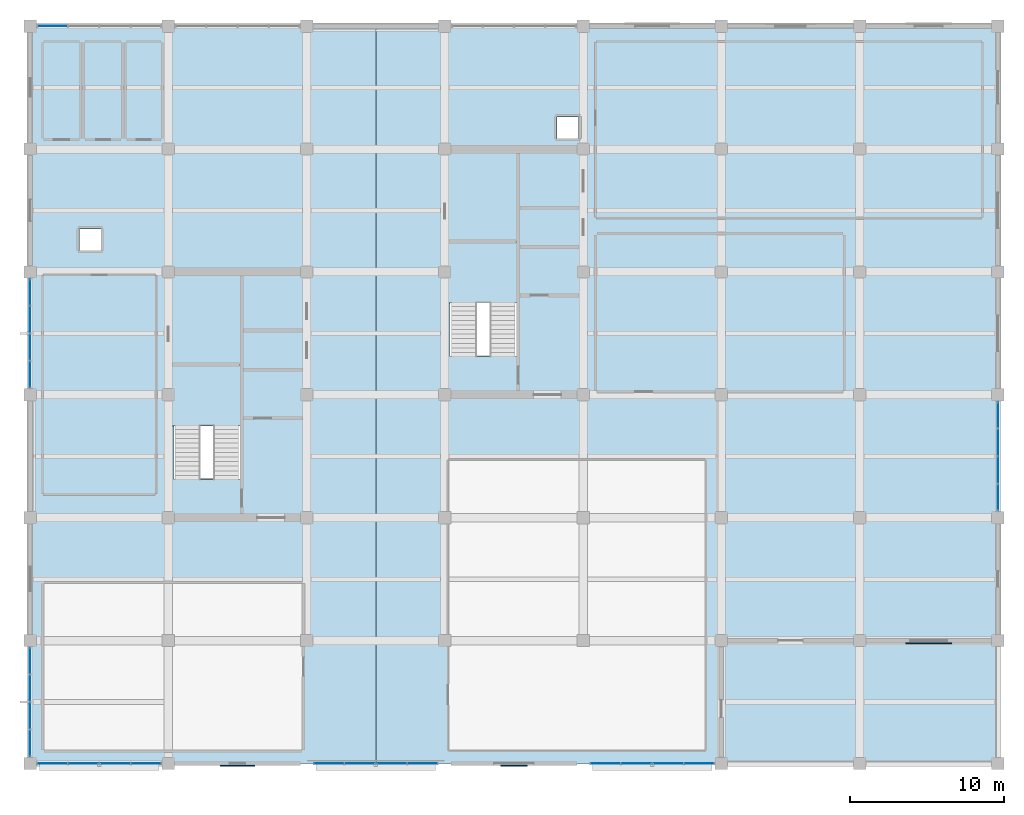
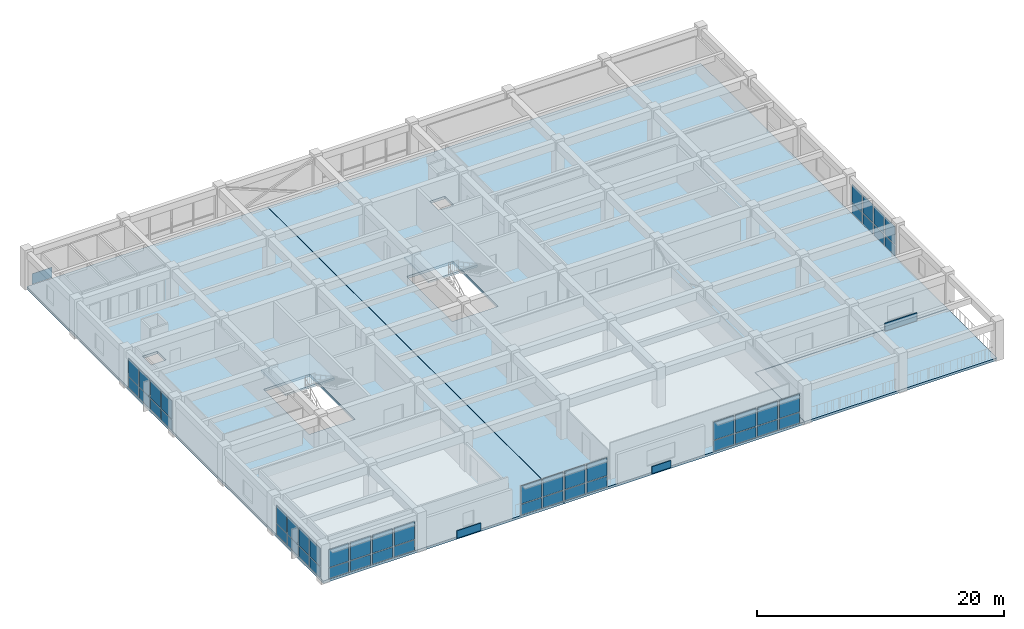
# One storey, part 11 of 17: 52 plates, 5 slabs, 9 elements without a shape of their own.
"""IFC4 building model written with IfcOpenShell, lengths in metres."""

from ifc_helpers import new_model, si_unit, direction, frame, frame_2d, origin, place, context, subcontext, project, spatial, polyline, rectangle, outline, extrude, material, layer, layer_set, type_object, element, aggregate, save


model = new_model("IFC4")

# Units and contexts
model_context = context("Model", 3, precision=1e-05, world=origin(), true_north=direction((0.0, 1.0)))
body_context = subcontext(model_context, "Body", "Model", "MODEL_VIEW")
ifc_project = project(units=[si_unit("LENGTHUNIT", "METRE"), si_unit("AREAUNIT", "SQUARE_METRE"), si_unit("VOLUMEUNIT", "CUBIC_METRE"), si_unit("PLANEANGLEUNIT", "RADIAN"), si_unit("MASSUNIT", "GRAM", prefix="KILO")], contexts=[model_context])

# Site, building, storey
site_placement = place(None, origin())
site = spatial("IfcSite", under=ifc_project, at=site_placement, CompositionType="ELEMENT")
building_placement = place(site_placement, origin())
building = spatial("IfcBuilding", under=site, at=building_placement, Name="Zaverband Oceanarium and Marine Research Institute", CompositionType="ELEMENT")
storey_placement = place(building_placement, frame((0.0, 0.0, 33.60009765625)))
storey = spatial("IfcBuildingStorey", under=building, at=storey_placement, Name="L08", CompositionType="ELEMENT", Elevation=33.60009765625)

# Curtain wall, plates
ifc_material_1 = material(Name="Thermally broken anodized aluminium and solar-control glass", Category="aluminium")
curtain_wall_type = type_object("IfcCurtainWallType", Name="CW-UNIT-1800", PredefinedType="NOTDEFINED", material=ifc_material_1)
curtain_wall_1_placement = place(storey_placement, origin())
curtain_wall_1 = element("IfcCurtainWall", 1, at=curtain_wall_1_placement, inside=storey, type_object=curtain_wall_type, Name="Unitised glazed curtain wall CW-100", PredefinedType="NOTDEFINED")
ifc_material_2 = material(Name="Low-E double-glazed solar-control glass", Category="glass")
ifc_layer_1 = layer(ifc_material_2, 0.033935546875, Name="Low-E double-glazed solar-control glass")
ifc_layer_set_1 = layer_set([ifc_layer_1], Name="Low-E double-glazed solar-control glass")
plate_type_1 = type_object("IfcPlateType", Name="CWP-1570x1043", PredefinedType="CURTAIN_PANEL", material=ifc_layer_set_1)
plate_1_placement = place(storey_placement, frame((9.0, 64.485107421875, 0.0498046875), z_axis=(0.0, 0.0, 1.0), x_axis=(0.0, 1.0, 0.0)))
plate_1 = element("IfcPlate", 2, at=plate_1_placement, type_object=plate_type_1, Name="Glazed curtain wall panel CWP-1570x1043", PredefinedType="CURTAIN_PANEL", context=body_context, shape_type="SweptSolid", body=[
    extrude(rectangle(XDim=1.637451171875, YDim=0.033935546875, at=frame_2d((0.81884765625, 0.0))), origin(), (0.0, 0.0, 1.0), 1.043212890625),
])
plate_2_placement = place(storey_placement, frame((9.0, 66.282470703125, 0.0498046875), z_axis=(0.0, 0.0, 1.0), x_axis=(0.0, 1.0, 0.0)))
plate_2 = element("IfcPlate", 3, at=plate_2_placement, type_object=plate_type_1, Name="Glazed curtain wall panel CWP-1570x1043", PredefinedType="CURTAIN_PANEL", context=body_context, shape_type="SweptSolid", body=[
    extrude(rectangle(XDim=1.637451171875, YDim=0.033935546875, at=frame_2d((0.81884765625, 0.0))), origin(), (0.0, 0.0, 1.0), 1.043212890625),
])
plate_3_placement = place(storey_placement, frame((9.0, 68.080078125, 0.0498046875), z_axis=(0.0, 0.0, 1.0), x_axis=(0.0, 1.0, 0.0)))
plate_3 = element("IfcPlate", 4, at=plate_3_placement, type_object=plate_type_1, Name="Glazed curtain wall panel CWP-1570x1043", PredefinedType="CURTAIN_PANEL", context=body_context, shape_type="SweptSolid", body=[
    extrude(rectangle(XDim=1.637451171875, YDim=0.033935546875, at=frame_2d((0.81884765625, 0.0))), origin(), (0.0, 0.0, 1.0), 1.043212890625),
])
plate_4_placement = place(storey_placement, frame((9.0, 69.87744140625, 0.0498046875), z_axis=(0.0, 0.0, 1.0), x_axis=(0.0, 1.0, 0.0)))
plate_4 = element("IfcPlate", 5, at=plate_4_placement, type_object=plate_type_1, Name="Glazed curtain wall panel CWP-1570x1043", PredefinedType="CURTAIN_PANEL", context=body_context, shape_type="SweptSolid", body=[
    extrude(rectangle(XDim=1.637451171875, YDim=0.033935546875, at=frame_2d((0.81884765625, 0.0))), origin(), (0.0, 0.0, 1.0), 1.043212890625),
])

curtain_wall_2_placement = place(storey_placement, origin())
curtain_wall_2 = element("IfcCurtainWall", 6, at=curtain_wall_2_placement, inside=storey, type_object=curtain_wall_type, Name="Unitised glazed curtain wall CW-101", PredefinedType="NOTDEFINED")
plate_5_placement = place(storey_placement, frame((9.0, 88.485107421875, 0.0498046875), z_axis=(0.0, 0.0, 1.0), x_axis=(0.0, 1.0, 0.0)))
plate_5 = element("IfcPlate", 7, at=plate_5_placement, type_object=plate_type_1, Name="Glazed curtain wall panel CWP-1570x1043", PredefinedType="CURTAIN_PANEL", context=body_context, shape_type="SweptSolid", body=[
    extrude(rectangle(XDim=1.637451171875, YDim=0.033935546875, at=frame_2d((0.81884765625, 0.0))), origin(), (0.0, 0.0, 1.0), 1.043212890625),
])
plate_6_placement = place(storey_placement, frame((9.0, 90.282470703125, 0.0498046875), z_axis=(0.0, 0.0, 1.0), x_axis=(0.0, 1.0, 0.0)))
plate_6 = element("IfcPlate", 8, at=plate_6_placement, type_object=plate_type_1, Name="Glazed curtain wall panel CWP-1570x1043", PredefinedType="CURTAIN_PANEL", context=body_context, shape_type="SweptSolid", body=[
    extrude(rectangle(XDim=1.637451171875, YDim=0.033935546875, at=frame_2d((0.81884765625, 0.0))), origin(), (0.0, 0.0, 1.0), 1.043212890625),
])
plate_7_placement = place(storey_placement, frame((9.0, 92.080078125, 0.0498046875), z_axis=(0.0, 0.0, 1.0), x_axis=(0.0, 1.0, 0.0)))
plate_7 = element("IfcPlate", 9, at=plate_7_placement, type_object=plate_type_1, Name="Glazed curtain wall panel CWP-1570x1043", PredefinedType="CURTAIN_PANEL", context=body_context, shape_type="SweptSolid", body=[
    extrude(rectangle(XDim=1.637451171875, YDim=0.033935546875, at=frame_2d((0.81884765625, 0.0))), origin(), (0.0, 0.0, 1.0), 1.043212890625),
])
plate_8_placement = place(storey_placement, frame((9.0, 93.87744140625, 0.0498046875), z_axis=(0.0, 0.0, 1.0), x_axis=(0.0, 1.0, 0.0)))
plate_8 = element("IfcPlate", 10, at=plate_8_placement, type_object=plate_type_1, Name="Glazed curtain wall panel CWP-1570x1043", PredefinedType="CURTAIN_PANEL", context=body_context, shape_type="SweptSolid", body=[
    extrude(rectangle(XDim=1.637451171875, YDim=0.033935546875, at=frame_2d((0.81884765625, 0.0))), origin(), (0.0, 0.0, 1.0), 1.043212890625),
])

curtain_wall_3_placement = place(storey_placement, origin())
curtain_wall_3 = element("IfcCurtainWall", 11, at=curtain_wall_3_placement, inside=storey, type_object=curtain_wall_type, Name="Unitised glazed curtain wall CW-102", PredefinedType="NOTDEFINED")
plate_9_placement = place(storey_placement, frame((72.0, 80.485107421875, 0.0498046875), z_axis=(0.0, 0.0, 1.0), x_axis=(0.0, 1.0, 0.0)))
plate_9 = element("IfcPlate", 12, at=plate_9_placement, type_object=plate_type_1, Name="Glazed curtain wall panel CWP-1570x1043", PredefinedType="CURTAIN_PANEL", context=body_context, shape_type="SweptSolid", body=[
    extrude(rectangle(XDim=1.637451171875, YDim=0.033935546875, at=frame_2d((0.81884765625, 0.0))), origin(), (0.0, 0.0, 1.0), 1.043212890625),
])
plate_10_placement = place(storey_placement, frame((72.0, 82.282470703125, 0.0498046875), z_axis=(0.0, 0.0, 1.0), x_axis=(0.0, 1.0, 0.0)))
plate_10 = element("IfcPlate", 13, at=plate_10_placement, type_object=plate_type_1, Name="Glazed curtain wall panel CWP-1570x1043", PredefinedType="CURTAIN_PANEL", context=body_context, shape_type="SweptSolid", body=[
    extrude(rectangle(XDim=1.637451171875, YDim=0.033935546875, at=frame_2d((0.81884765625, 0.0))), origin(), (0.0, 0.0, 1.0), 1.043212890625),
])
plate_11_placement = place(storey_placement, frame((72.0, 84.080078125, 0.0498046875), z_axis=(0.0, 0.0, 1.0), x_axis=(0.0, 1.0, 0.0)))
plate_11 = element("IfcPlate", 14, at=plate_11_placement, type_object=plate_type_1, Name="Glazed curtain wall panel CWP-1570x1043", PredefinedType="CURTAIN_PANEL", context=body_context, shape_type="SweptSolid", body=[
    extrude(rectangle(XDim=1.637451171875, YDim=0.033935546875, at=frame_2d((0.81884765625, 0.0))), origin(), (0.0, 0.0, 1.0), 1.043212890625),
])
plate_12_placement = place(storey_placement, frame((72.0, 85.87744140625, 0.0498046875), z_axis=(0.0, 0.0, 1.0), x_axis=(0.0, 1.0, 0.0)))
plate_12 = element("IfcPlate", 15, at=plate_12_placement, type_object=plate_type_1, Name="Glazed curtain wall panel CWP-1570x1043", PredefinedType="CURTAIN_PANEL", context=body_context, shape_type="SweptSolid", body=[
    extrude(rectangle(XDim=1.637451171875, YDim=0.033935546875, at=frame_2d((0.81884765625, 0.0))), origin(), (0.0, 0.0, 1.0), 1.043212890625),
])

# Plate
ifc_layer_2 = layer(ifc_material_2, 0.035888671875, Name="Low-E double-glazed solar-control glass")
ifc_layer_set_2 = layer_set([ifc_layer_2], Name="Low-E double-glazed solar-control glass")
plate_type_2 = type_object("IfcPlateType", Name="CWP-1570x1777", PredefinedType="CURTAIN_PANEL", material=ifc_layer_set_2)
plate_13_placement = place(storey_placement, frame((9.0, 64.485107421875, 1.162841796875), z_axis=(0.0, 0.0, 1.0), x_axis=(0.0, 1.0, 0.0)))
plate_13 = element("IfcPlate", 16, at=plate_13_placement, type_object=plate_type_2, Name="Glazed curtain wall panel CWP-1570x1777", PredefinedType="CURTAIN_PANEL", context=body_context, shape_type="SweptSolid", body=[
    extrude(rectangle(XDim=1.637451171875, YDim=0.035888671875, at=frame_2d((0.81884765625, 0.0))), origin(), (0.0, 0.0, 1.0), 1.777099609375),
])

plate_14_placement = place(storey_placement, frame((9.0, 66.282470703125, 1.162841796875), z_axis=(0.0, 0.0, 1.0), x_axis=(0.0, 1.0, 0.0)))
plate_14 = element("IfcPlate", 17, at=plate_14_placement, type_object=plate_type_2, Name="Glazed curtain wall panel CWP-1570x1777", PredefinedType="CURTAIN_PANEL", context=body_context, shape_type="SweptSolid", body=[
    extrude(rectangle(XDim=1.637451171875, YDim=0.035888671875, at=frame_2d((0.81884765625, 0.0))), origin(), (0.0, 0.0, 1.0), 1.777099609375),
])

plate_15_placement = place(storey_placement, frame((9.0, 68.080078125, 1.162841796875), z_axis=(0.0, 0.0, 1.0), x_axis=(0.0, 1.0, 0.0)))
plate_15 = element("IfcPlate", 18, at=plate_15_placement, type_object=plate_type_2, Name="Glazed curtain wall panel CWP-1570x1777", PredefinedType="CURTAIN_PANEL", context=body_context, shape_type="SweptSolid", body=[
    extrude(rectangle(XDim=1.637451171875, YDim=0.035888671875, at=frame_2d((0.81884765625, 0.0))), origin(), (0.0, 0.0, 1.0), 1.777099609375),
])

plate_16_placement = place(storey_placement, frame((9.0, 69.87744140625, 1.162841796875), z_axis=(0.0, 0.0, 1.0), x_axis=(0.0, 1.0, 0.0)))
plate_16 = element("IfcPlate", 19, at=plate_16_placement, type_object=plate_type_2, Name="Glazed curtain wall panel CWP-1570x1777", PredefinedType="CURTAIN_PANEL", context=body_context, shape_type="SweptSolid", body=[
    extrude(rectangle(XDim=1.637451171875, YDim=0.035888671875, at=frame_2d((0.81884765625, 0.0))), origin(), (0.0, 0.0, 1.0), 1.777099609375),
])

aggregate(curtain_wall_1, [plate_1, plate_13, plate_2, plate_14, plate_3, plate_15, plate_4, plate_16])

plate_17_placement = place(storey_placement, frame((9.0, 88.485107421875, 1.162841796875), z_axis=(0.0, 0.0, 1.0), x_axis=(0.0, 1.0, 0.0)))
plate_17 = element("IfcPlate", 20, at=plate_17_placement, type_object=plate_type_2, Name="Glazed curtain wall panel CWP-1570x1777", PredefinedType="CURTAIN_PANEL", context=body_context, shape_type="SweptSolid", body=[
    extrude(rectangle(XDim=1.637451171875, YDim=0.035888671875, at=frame_2d((0.81884765625, 0.0))), origin(), (0.0, 0.0, 1.0), 1.777099609375),
])

plate_18_placement = place(storey_placement, frame((9.0, 90.282470703125, 1.162841796875), z_axis=(0.0, 0.0, 1.0), x_axis=(0.0, 1.0, 0.0)))
plate_18 = element("IfcPlate", 21, at=plate_18_placement, type_object=plate_type_2, Name="Glazed curtain wall panel CWP-1570x1777", PredefinedType="CURTAIN_PANEL", context=body_context, shape_type="SweptSolid", body=[
    extrude(rectangle(XDim=1.637451171875, YDim=0.035888671875, at=frame_2d((0.81884765625, 0.0))), origin(), (0.0, 0.0, 1.0), 1.777099609375),
])

plate_19_placement = place(storey_placement, frame((9.0, 92.080078125, 1.162841796875), z_axis=(0.0, 0.0, 1.0), x_axis=(0.0, 1.0, 0.0)))
plate_19 = element("IfcPlate", 22, at=plate_19_placement, type_object=plate_type_2, Name="Glazed curtain wall panel CWP-1570x1777", PredefinedType="CURTAIN_PANEL", context=body_context, shape_type="SweptSolid", body=[
    extrude(rectangle(XDim=1.637451171875, YDim=0.035888671875, at=frame_2d((0.81884765625, 0.0))), origin(), (0.0, 0.0, 1.0), 1.777099609375),
])

plate_20_placement = place(storey_placement, frame((9.0, 93.87744140625, 1.162841796875), z_axis=(0.0, 0.0, 1.0), x_axis=(0.0, 1.0, 0.0)))
plate_20 = element("IfcPlate", 23, at=plate_20_placement, type_object=plate_type_2, Name="Glazed curtain wall panel CWP-1570x1777", PredefinedType="CURTAIN_PANEL", context=body_context, shape_type="SweptSolid", body=[
    extrude(rectangle(XDim=1.637451171875, YDim=0.035888671875, at=frame_2d((0.81884765625, 0.0))), origin(), (0.0, 0.0, 1.0), 1.777099609375),
])

aggregate(curtain_wall_2, [plate_5, plate_17, plate_6, plate_18, plate_7, plate_19, plate_8, plate_20])

plate_21_placement = place(storey_placement, frame((72.0, 80.485107421875, 1.162841796875), z_axis=(0.0, 0.0, 1.0), x_axis=(0.0, 1.0, 0.0)))
plate_21 = element("IfcPlate", 24, at=plate_21_placement, type_object=plate_type_2, Name="Glazed curtain wall panel CWP-1570x1777", PredefinedType="CURTAIN_PANEL", context=body_context, shape_type="SweptSolid", body=[
    extrude(rectangle(XDim=1.637451171875, YDim=0.035888671875, at=frame_2d((0.81884765625, 0.0))), origin(), (0.0, 0.0, 1.0), 1.777099609375),
])

plate_22_placement = place(storey_placement, frame((72.0, 82.282470703125, 1.162841796875), z_axis=(0.0, 0.0, 1.0), x_axis=(0.0, 1.0, 0.0)))
plate_22 = element("IfcPlate", 25, at=plate_22_placement, type_object=plate_type_2, Name="Glazed curtain wall panel CWP-1570x1777", PredefinedType="CURTAIN_PANEL", context=body_context, shape_type="SweptSolid", body=[
    extrude(rectangle(XDim=1.637451171875, YDim=0.035888671875, at=frame_2d((0.81884765625, 0.0))), origin(), (0.0, 0.0, 1.0), 1.777099609375),
])

plate_23_placement = place(storey_placement, frame((72.0, 84.080078125, 1.162841796875), z_axis=(0.0, 0.0, 1.0), x_axis=(0.0, 1.0, 0.0)))
plate_23 = element("IfcPlate", 26, at=plate_23_placement, type_object=plate_type_2, Name="Glazed curtain wall panel CWP-1570x1777", PredefinedType="CURTAIN_PANEL", context=body_context, shape_type="SweptSolid", body=[
    extrude(rectangle(XDim=1.637451171875, YDim=0.035888671875, at=frame_2d((0.81884765625, 0.0))), origin(), (0.0, 0.0, 1.0), 1.777099609375),
])

plate_24_placement = place(storey_placement, frame((72.0, 85.87744140625, 1.162841796875), z_axis=(0.0, 0.0, 1.0), x_axis=(0.0, 1.0, 0.0)))
plate_24 = element("IfcPlate", 27, at=plate_24_placement, type_object=plate_type_2, Name="Glazed curtain wall panel CWP-1570x1777", PredefinedType="CURTAIN_PANEL", context=body_context, shape_type="SweptSolid", body=[
    extrude(rectangle(XDim=1.637451171875, YDim=0.035888671875, at=frame_2d((0.81884765625, 0.0))), origin(), (0.0, 0.0, 1.0), 1.777099609375),
])

aggregate(curtain_wall_3, [plate_9, plate_21, plate_10, plate_22, plate_11, plate_23, plate_12, plate_24])

# Curtain wall, plates
curtain_wall_4_placement = place(storey_placement, origin())
curtain_wall_4 = element("IfcCurtainWall", 28, at=curtain_wall_4_placement, inside=storey, type_object=curtain_wall_type, Name="Unitised glazed curtain wall CW-094", PredefinedType="NOTDEFINED")
ifc_layer_3 = layer(ifc_material_2, 0.033935546875, Name="Low-E double-glazed solar-control glass")
ifc_layer_set_3 = layer_set([ifc_layer_3], Name="Low-E double-glazed solar-control glass")
plate_type_3 = type_object("IfcPlateType", Name="CWP-1820x1043", PredefinedType="CURTAIN_PANEL", material=ifc_layer_set_3)
plate_25_placement = place(storey_placement, frame((9.485107421875, 64.0, 0.0498046875), z_axis=(0.0, 0.0, 1.0), x_axis=(1.0, 0.0, 0.0)))
plate_25 = element("IfcPlate", 29, at=plate_25_placement, type_object=plate_type_3, Name="Glazed curtain wall panel CWP-1820x1043", PredefinedType="CURTAIN_PANEL", context=body_context, shape_type="SweptSolid", body=[
    extrude(rectangle(XDim=1.887451171875, YDim=0.033935546875, at=frame_2d((0.94384765625, 0.0))), origin(), (0.0, 0.0, 1.0), 1.043212890625),
])
plate_26_placement = place(storey_placement, frame((11.532470703125, 64.0, 0.0498046875), z_axis=(0.0, 0.0, 1.0), x_axis=(1.0, 0.0, 0.0)))
plate_26 = element("IfcPlate", 30, at=plate_26_placement, type_object=plate_type_3, Name="Glazed curtain wall panel CWP-1820x1043", PredefinedType="CURTAIN_PANEL", context=body_context, shape_type="SweptSolid", body=[
    extrude(rectangle(XDim=1.887451171875, YDim=0.033935546875, at=frame_2d((0.94384765625, 0.0))), origin(), (0.0, 0.0, 1.0), 1.043212890625),
])
plate_27_placement = place(storey_placement, frame((13.580078125, 64.0, 0.0498046875), z_axis=(0.0, 0.0, 1.0), x_axis=(1.0, 0.0, 0.0)))
plate_27 = element("IfcPlate", 31, at=plate_27_placement, type_object=plate_type_3, Name="Glazed curtain wall panel CWP-1820x1043", PredefinedType="CURTAIN_PANEL", context=body_context, shape_type="SweptSolid", body=[
    extrude(rectangle(XDim=1.887451171875, YDim=0.033935546875, at=frame_2d((0.94384765625, 0.0))), origin(), (0.0, 0.0, 1.0), 1.043212890625),
])
plate_28_placement = place(storey_placement, frame((15.62744140625, 64.0, 0.0498046875), z_axis=(0.0, 0.0, 1.0), x_axis=(1.0, 0.0, 0.0)))
plate_28 = element("IfcPlate", 32, at=plate_28_placement, type_object=plate_type_3, Name="Glazed curtain wall panel CWP-1820x1043", PredefinedType="CURTAIN_PANEL", context=body_context, shape_type="SweptSolid", body=[
    extrude(rectangle(XDim=1.887451171875, YDim=0.033935546875, at=frame_2d((0.94384765625, 0.0))), origin(), (0.0, 0.0, 1.0), 1.043212890625),
])

curtain_wall_5_placement = place(storey_placement, origin())
curtain_wall_5 = element("IfcCurtainWall", 33, at=curtain_wall_5_placement, inside=storey, type_object=curtain_wall_type, Name="Unitised glazed curtain wall CW-095", PredefinedType="NOTDEFINED")
plate_29_placement = place(storey_placement, frame((27.485107421875, 64.0, 0.0498046875), z_axis=(0.0, 0.0, 1.0), x_axis=(1.0, 0.0, 0.0)))
plate_29 = element("IfcPlate", 34, at=plate_29_placement, type_object=plate_type_3, Name="Glazed curtain wall panel CWP-1820x1043", PredefinedType="CURTAIN_PANEL", context=body_context, shape_type="SweptSolid", body=[
    extrude(rectangle(XDim=1.887451171875, YDim=0.033935546875, at=frame_2d((0.94384765625, 0.0))), origin(), (0.0, 0.0, 1.0), 1.043212890625),
])
plate_30_placement = place(storey_placement, frame((29.532470703125, 64.0, 0.0498046875), z_axis=(0.0, 0.0, 1.0), x_axis=(1.0, 0.0, 0.0)))
plate_30 = element("IfcPlate", 35, at=plate_30_placement, type_object=plate_type_3, Name="Glazed curtain wall panel CWP-1820x1043", PredefinedType="CURTAIN_PANEL", context=body_context, shape_type="SweptSolid", body=[
    extrude(rectangle(XDim=1.887451171875, YDim=0.033935546875, at=frame_2d((0.94384765625, 0.0))), origin(), (0.0, 0.0, 1.0), 1.043212890625),
])
plate_31_placement = place(storey_placement, frame((31.580078125, 64.0, 0.0498046875), z_axis=(0.0, 0.0, 1.0), x_axis=(1.0, 0.0, 0.0)))
plate_31 = element("IfcPlate", 36, at=plate_31_placement, type_object=plate_type_3, Name="Glazed curtain wall panel CWP-1820x1043", PredefinedType="CURTAIN_PANEL", context=body_context, shape_type="SweptSolid", body=[
    extrude(rectangle(XDim=1.887451171875, YDim=0.033935546875, at=frame_2d((0.94384765625, 0.0))), origin(), (0.0, 0.0, 1.0), 1.043212890625),
])
plate_32_placement = place(storey_placement, frame((33.62744140625, 64.0, 0.0498046875), z_axis=(0.0, 0.0, 1.0), x_axis=(1.0, 0.0, 0.0)))
plate_32 = element("IfcPlate", 37, at=plate_32_placement, type_object=plate_type_3, Name="Glazed curtain wall panel CWP-1820x1043", PredefinedType="CURTAIN_PANEL", context=body_context, shape_type="SweptSolid", body=[
    extrude(rectangle(XDim=1.887451171875, YDim=0.033935546875, at=frame_2d((0.94384765625, 0.0))), origin(), (0.0, 0.0, 1.0), 1.043212890625),
])

curtain_wall_6_placement = place(storey_placement, origin())
curtain_wall_6 = element("IfcCurtainWall", 38, at=curtain_wall_6_placement, inside=storey, type_object=curtain_wall_type, Name="Unitised glazed curtain wall CW-096", PredefinedType="NOTDEFINED")
plate_33_placement = place(storey_placement, frame((45.485107421875, 64.0, 0.0498046875), z_axis=(0.0, 0.0, 1.0), x_axis=(1.0, 0.0, 0.0)))
plate_33 = element("IfcPlate", 39, at=plate_33_placement, type_object=plate_type_3, Name="Glazed curtain wall panel CWP-1820x1043", PredefinedType="CURTAIN_PANEL", context=body_context, shape_type="SweptSolid", body=[
    extrude(rectangle(XDim=1.887451171875, YDim=0.033935546875, at=frame_2d((0.94384765625, 0.0))), origin(), (0.0, 0.0, 1.0), 1.043212890625),
])
plate_34_placement = place(storey_placement, frame((47.532470703125, 64.0, 0.0498046875), z_axis=(0.0, 0.0, 1.0), x_axis=(1.0, 0.0, 0.0)))
plate_34 = element("IfcPlate", 40, at=plate_34_placement, type_object=plate_type_3, Name="Glazed curtain wall panel CWP-1820x1043", PredefinedType="CURTAIN_PANEL", context=body_context, shape_type="SweptSolid", body=[
    extrude(rectangle(XDim=1.887451171875, YDim=0.033935546875, at=frame_2d((0.94384765625, 0.0))), origin(), (0.0, 0.0, 1.0), 1.043212890625),
])
plate_35_placement = place(storey_placement, frame((49.580078125, 64.0, 0.0498046875), z_axis=(0.0, 0.0, 1.0), x_axis=(1.0, 0.0, 0.0)))
plate_35 = element("IfcPlate", 41, at=plate_35_placement, type_object=plate_type_3, Name="Glazed curtain wall panel CWP-1820x1043", PredefinedType="CURTAIN_PANEL", context=body_context, shape_type="SweptSolid", body=[
    extrude(rectangle(XDim=1.887451171875, YDim=0.033935546875, at=frame_2d((0.94384765625, 0.0))), origin(), (0.0, 0.0, 1.0), 1.043212890625),
])
plate_36_placement = place(storey_placement, frame((51.62744140625, 64.0, 0.0498046875), z_axis=(0.0, 0.0, 1.0), x_axis=(1.0, 0.0, 0.0)))
plate_36 = element("IfcPlate", 42, at=plate_36_placement, type_object=plate_type_3, Name="Glazed curtain wall panel CWP-1820x1043", PredefinedType="CURTAIN_PANEL", context=body_context, shape_type="SweptSolid", body=[
    extrude(rectangle(XDim=1.887451171875, YDim=0.033935546875, at=frame_2d((0.94384765625, 0.0))), origin(), (0.0, 0.0, 1.0), 1.043212890625),
])

# Curtain wall, plate
curtain_wall_7_placement = place(storey_placement, origin())
curtain_wall_7 = element("IfcCurtainWall", 43, at=curtain_wall_7_placement, inside=storey, type_object=curtain_wall_type, Name="Unitised glazed curtain wall CW-097", PredefinedType="NOTDEFINED")
plate_37_placement = place(storey_placement, frame((9.485107421875, 112.0, 0.0498046875), z_axis=(0.0, 0.0, 1.0), x_axis=(1.0, 0.0, 0.0)))
plate_37 = element("IfcPlate", 44, at=plate_37_placement, type_object=plate_type_3, Name="Glazed curtain wall panel CWP-1820x1043", PredefinedType="CURTAIN_PANEL", context=body_context, shape_type="SweptSolid", body=[
    extrude(rectangle(XDim=1.887451171875, YDim=0.033935546875, at=frame_2d((0.94384765625, 0.0))), origin(), (0.0, 0.0, 1.0), 1.043212890625),
])
aggregate(curtain_wall_7, [plate_37])

# Plate
ifc_layer_4 = layer(ifc_material_2, 0.035888671875, Name="Low-E double-glazed solar-control glass")
ifc_layer_set_4 = layer_set([ifc_layer_4], Name="Low-E double-glazed solar-control glass")
plate_type_4 = type_object("IfcPlateType", Name="CWP-1820x1777", PredefinedType="CURTAIN_PANEL", material=ifc_layer_set_4)
plate_38_placement = place(storey_placement, frame((9.485107421875, 64.0, 1.162841796875), z_axis=(0.0, 0.0, 1.0), x_axis=(1.0, 0.0, 0.0)))
plate_38 = element("IfcPlate", 45, at=plate_38_placement, type_object=plate_type_4, Name="Glazed curtain wall panel CWP-1820x1777", PredefinedType="CURTAIN_PANEL", context=body_context, shape_type="SweptSolid", body=[
    extrude(rectangle(XDim=1.887451171875, YDim=0.035888671875, at=frame_2d((0.94384765625, 0.0))), origin(), (0.0, 0.0, 1.0), 1.777099609375),
])

plate_39_placement = place(storey_placement, frame((11.532470703125, 64.0, 1.162841796875), z_axis=(0.0, 0.0, 1.0), x_axis=(1.0, 0.0, 0.0)))
plate_39 = element("IfcPlate", 46, at=plate_39_placement, type_object=plate_type_4, Name="Glazed curtain wall panel CWP-1820x1777", PredefinedType="CURTAIN_PANEL", context=body_context, shape_type="SweptSolid", body=[
    extrude(rectangle(XDim=1.887451171875, YDim=0.035888671875, at=frame_2d((0.94384765625, 0.0))), origin(), (0.0, 0.0, 1.0), 1.777099609375),
])

plate_40_placement = place(storey_placement, frame((13.580078125, 64.0, 1.162841796875), z_axis=(0.0, 0.0, 1.0), x_axis=(1.0, 0.0, 0.0)))
plate_40 = element("IfcPlate", 47, at=plate_40_placement, type_object=plate_type_4, Name="Glazed curtain wall panel CWP-1820x1777", PredefinedType="CURTAIN_PANEL", context=body_context, shape_type="SweptSolid", body=[
    extrude(rectangle(XDim=1.887451171875, YDim=0.035888671875, at=frame_2d((0.94384765625, 0.0))), origin(), (0.0, 0.0, 1.0), 1.777099609375),
])

plate_41_placement = place(storey_placement, frame((15.62744140625, 64.0, 1.162841796875), z_axis=(0.0, 0.0, 1.0), x_axis=(1.0, 0.0, 0.0)))
plate_41 = element("IfcPlate", 48, at=plate_41_placement, type_object=plate_type_4, Name="Glazed curtain wall panel CWP-1820x1777", PredefinedType="CURTAIN_PANEL", context=body_context, shape_type="SweptSolid", body=[
    extrude(rectangle(XDim=1.887451171875, YDim=0.035888671875, at=frame_2d((0.94384765625, 0.0))), origin(), (0.0, 0.0, 1.0), 1.777099609375),
])

aggregate(curtain_wall_4, [plate_25, plate_38, plate_26, plate_39, plate_27, plate_40, plate_28, plate_41])

plate_42_placement = place(storey_placement, frame((27.485107421875, 64.0, 1.162841796875), z_axis=(0.0, 0.0, 1.0), x_axis=(1.0, 0.0, 0.0)))
plate_42 = element("IfcPlate", 49, at=plate_42_placement, type_object=plate_type_4, Name="Glazed curtain wall panel CWP-1820x1777", PredefinedType="CURTAIN_PANEL", context=body_context, shape_type="SweptSolid", body=[
    extrude(rectangle(XDim=1.887451171875, YDim=0.035888671875, at=frame_2d((0.94384765625, 0.0))), origin(), (0.0, 0.0, 1.0), 1.777099609375),
])

plate_43_placement = place(storey_placement, frame((29.532470703125, 64.0, 1.162841796875), z_axis=(0.0, 0.0, 1.0), x_axis=(1.0, 0.0, 0.0)))
plate_43 = element("IfcPlate", 50, at=plate_43_placement, type_object=plate_type_4, Name="Glazed curtain wall panel CWP-1820x1777", PredefinedType="CURTAIN_PANEL", context=body_context, shape_type="SweptSolid", body=[
    extrude(rectangle(XDim=1.887451171875, YDim=0.035888671875, at=frame_2d((0.94384765625, 0.0))), origin(), (0.0, 0.0, 1.0), 1.777099609375),
])

plate_44_placement = place(storey_placement, frame((31.580078125, 64.0, 1.162841796875), z_axis=(0.0, 0.0, 1.0), x_axis=(1.0, 0.0, 0.0)))
plate_44 = element("IfcPlate", 51, at=plate_44_placement, type_object=plate_type_4, Name="Glazed curtain wall panel CWP-1820x1777", PredefinedType="CURTAIN_PANEL", context=body_context, shape_type="SweptSolid", body=[
    extrude(rectangle(XDim=1.887451171875, YDim=0.035888671875, at=frame_2d((0.94384765625, 0.0))), origin(), (0.0, 0.0, 1.0), 1.777099609375),
])

plate_45_placement = place(storey_placement, frame((33.62744140625, 64.0, 1.162841796875), z_axis=(0.0, 0.0, 1.0), x_axis=(1.0, 0.0, 0.0)))
plate_45 = element("IfcPlate", 52, at=plate_45_placement, type_object=plate_type_4, Name="Glazed curtain wall panel CWP-1820x1777", PredefinedType="CURTAIN_PANEL", context=body_context, shape_type="SweptSolid", body=[
    extrude(rectangle(XDim=1.887451171875, YDim=0.035888671875, at=frame_2d((0.94384765625, 0.0))), origin(), (0.0, 0.0, 1.0), 1.777099609375),
])

aggregate(curtain_wall_5, [plate_29, plate_42, plate_30, plate_43, plate_31, plate_44, plate_32, plate_45])

plate_46_placement = place(storey_placement, frame((45.485107421875, 64.0, 1.162841796875), z_axis=(0.0, 0.0, 1.0), x_axis=(1.0, 0.0, 0.0)))
plate_46 = element("IfcPlate", 53, at=plate_46_placement, type_object=plate_type_4, Name="Glazed curtain wall panel CWP-1820x1777", PredefinedType="CURTAIN_PANEL", context=body_context, shape_type="SweptSolid", body=[
    extrude(rectangle(XDim=1.887451171875, YDim=0.035888671875, at=frame_2d((0.94384765625, 0.0))), origin(), (0.0, 0.0, 1.0), 1.777099609375),
])

plate_47_placement = place(storey_placement, frame((47.532470703125, 64.0, 1.162841796875), z_axis=(0.0, 0.0, 1.0), x_axis=(1.0, 0.0, 0.0)))
plate_47 = element("IfcPlate", 54, at=plate_47_placement, type_object=plate_type_4, Name="Glazed curtain wall panel CWP-1820x1777", PredefinedType="CURTAIN_PANEL", context=body_context, shape_type="SweptSolid", body=[
    extrude(rectangle(XDim=1.887451171875, YDim=0.035888671875, at=frame_2d((0.94384765625, 0.0))), origin(), (0.0, 0.0, 1.0), 1.777099609375),
])

plate_48_placement = place(storey_placement, frame((49.580078125, 64.0, 1.162841796875), z_axis=(0.0, 0.0, 1.0), x_axis=(1.0, 0.0, 0.0)))
plate_48 = element("IfcPlate", 55, at=plate_48_placement, type_object=plate_type_4, Name="Glazed curtain wall panel CWP-1820x1777", PredefinedType="CURTAIN_PANEL", context=body_context, shape_type="SweptSolid", body=[
    extrude(rectangle(XDim=1.887451171875, YDim=0.035888671875, at=frame_2d((0.94384765625, 0.0))), origin(), (0.0, 0.0, 1.0), 1.777099609375),
])

plate_49_placement = place(storey_placement, frame((51.62744140625, 64.0, 1.162841796875), z_axis=(0.0, 0.0, 1.0), x_axis=(1.0, 0.0, 0.0)))
plate_49 = element("IfcPlate", 56, at=plate_49_placement, type_object=plate_type_4, Name="Glazed curtain wall panel CWP-1820x1777", PredefinedType="CURTAIN_PANEL", context=body_context, shape_type="SweptSolid", body=[
    extrude(rectangle(XDim=1.887451171875, YDim=0.035888671875, at=frame_2d((0.94384765625, 0.0))), origin(), (0.0, 0.0, 1.0), 1.777099609375),
])

aggregate(curtain_wall_6, [plate_33, plate_46, plate_34, plate_47, plate_35, plate_48, plate_36, plate_49])

# Plates
ifc_material_3 = material(Name="Concrete C40/50 precast ochre", Category="concrete")
ifc_layer_5 = layer(ifc_material_3, 0.070068359375, Name="Concrete C40/50 precast ochre")
ifc_layer_set_5 = layer_set([ifc_layer_5], Name="Concrete C40/50 precast ochre")
plate_type_5 = type_object("IfcPlateType", Name="FRP-1750x700", PredefinedType="USERDEFINED", material=ifc_layer_set_5)
plate_50_placement = place(storey_placement, frame((39.625, 63.847412109375, 0.0), z_axis=(0.0, 0.0, 1.0), x_axis=(1.0, 0.0, 0.0)))
element("IfcPlate", 57, at=plate_50_placement, inside=storey, type_object=plate_type_5, Name="Geometric precast facade cladding panel FRP-1750x700", ObjectType="FLANGE_PLATE", PredefinedType="USERDEFINED", context=body_context, shape_type="SweptSolid", body=[
    extrude(rectangle(XDim=1.75, YDim=0.070068359375, at=frame_2d((0.875, 0.0))), origin(), (0.0, 0.0, 1.0), 0.699951171875),
])
ifc_layer_6 = layer(ifc_material_3, 0.074951171875, Name="Concrete C40/50 precast ochre")
ifc_layer_set_6 = layer_set([ifc_layer_6], Name="Concrete C40/50 precast ochre")
plate_type_6 = type_object("IfcPlateType", Name="FRP-2250x740", PredefinedType="USERDEFINED", material=ifc_layer_set_6)
plate_51_placement = place(storey_placement, frame((21.375, 63.844970703125, 0.0), z_axis=(0.0, 0.0, 1.0), x_axis=(1.0, 0.0, 0.0)))
element("IfcPlate", 58, at=plate_51_placement, inside=storey, type_object=plate_type_6, Name="Geometric precast facade cladding panel FRP-2250x740", ObjectType="FLANGE_PLATE", PredefinedType="USERDEFINED", context=body_context, shape_type="SweptSolid", body=[
    extrude(rectangle(XDim=2.25, YDim=0.074951171875, at=frame_2d((1.125, 0.0))), origin(), (0.0, 0.0, 1.0), 0.739990234375),
])
ifc_layer_7 = layer(ifc_material_3, 0.080078125, Name="Concrete C40/50 precast ochre")
ifc_layer_set_7 = layer_set([ifc_layer_7], Name="Concrete C40/50 precast ochre")
plate_type_7 = type_object("IfcPlateType", Name="FRP-3000x780", PredefinedType="USERDEFINED", material=ifc_layer_set_7)
plate_52_placement = place(storey_placement, frame((66.0, 71.830078125, 0.0), z_axis=(0.0, 0.0, 1.0), x_axis=(1.0, 0.0, 0.0)))
element("IfcPlate", 59, at=plate_52_placement, inside=storey, type_object=plate_type_7, Name="Geometric precast facade cladding panel FRP-3000x780", ObjectType="FLANGE_PLATE", PredefinedType="USERDEFINED", context=body_context, shape_type="SweptSolid", body=[
    extrude(rectangle(XDim=3.0, YDim=0.080078125, at=frame_2d((1.5, 0.0))), origin(), (0.0, 0.0, 1.0), 0.77978515625),
])

# Slabs
ifc_material_4 = material(Name="Concrete C40/50", Category="concrete")
ifc_layer_8 = layer(ifc_material_4, 0.25, Name="Concrete C40/50")
ifc_layer_set_8 = layer_set([ifc_layer_8], Name="Concrete C40/50")
slab_type_1 = type_object("IfcSlabType", Name="SLB-LAB-250", PredefinedType="FLOOR", material=ifc_layer_set_8)
slab_1_placement = place(storey_placement, frame((0.0, 0.0, -0.25)))
element("IfcSlab", 60, at=slab_1_placement, inside=storey, type_object=slab_type_1, Name="Suspended floor slab SLB-LAB-250", PredefinedType="FLOOR", context=body_context, shape_type="SweptSolid", body=[
    extrude(outline(polyline([(9.0, 112.0), (31.485107421875, 112.0), (31.485107421875, 64.0), (9.0, 64.0), (9.0, 112.0)]), holes=[polyline([(18.35009765625, 89.85009765625), (18.35009765625, 82.5), (22.64990234375, 82.5), (22.64990234375, 89.85009765625), (18.35009765625, 89.85009765625)]), polyline([(13.60009765625, 98.800048828125), (12.199951171875, 98.800048828125), (12.199951171875, 97.39990234375), (13.60009765625, 97.39990234375), (13.60009765625, 98.800048828125)])]), origin(), (0.0, 0.0, 1.0), 0.25),
])
slab_2_placement = place(storey_placement, frame((0.0, 0.0, -0.25)))
element("IfcSlab", 61, at=slab_2_placement, inside=storey, type_object=slab_type_1, Name="Suspended floor slab SLB-LAB-250", PredefinedType="FLOOR", context=body_context, shape_type="SweptSolid", body=[
    extrude(outline(polyline([(31.514892578125, 64.0), (31.514892578125, 112.0), (72.0, 112.0), (72.0, 72.014892578125), (53.985107421875, 72.014892578125), (53.985107421875, 64.0), (31.514892578125, 64.0)]), holes=[polyline([(36.35009765625, 97.85009765625), (36.35009765625, 90.5), (40.64990234375, 90.5), (40.64990234375, 97.85009765625), (36.35009765625, 97.85009765625)]), polyline([(44.699951171875, 106.10009765625), (43.300048828125, 106.10009765625), (43.300048828125, 104.699951171875), (44.699951171875, 104.699951171875), (44.699951171875, 106.10009765625)])]), origin(), (0.0, 0.0, 1.0), 0.25),
])

# Stair, slab
stair_type = type_object("IfcStairType", Name="STR-TWR-1650-3900", PredefinedType="HALF_TURN_STAIR", material=ifc_material_4)
stair_1_placement = place(storey_placement, origin())
stair_1 = element("IfcStair", 62, at=stair_1_placement, inside=storey, type_object=stair_type, Name="Exit Stair ST-01 (L08)", PredefinedType="HALF_TURN_STAIR")
ifc_layer_9 = layer(ifc_material_4, 0.199951171875, Name="Concrete C40/50")
ifc_layer_set_9 = layer_set([ifc_layer_9], Name="Concrete C40/50")
slab_type_2 = type_object("IfcSlabType", Name="SLB-LND-200", PredefinedType="LANDING", material=ifc_layer_set_9)
slab_3_placement = place(storey_placement, frame((0.0, 0.0, 1.75)))
slab_3 = element("IfcSlab", 63, at=slab_3_placement, type_object=slab_type_2, Name="Stair / ramp landing slab SLB-LND-200", PredefinedType="LANDING", context=body_context, shape_type="SweptSolid", body=[
    extrude(outline(polyline([(18.139892578125, 85.969970703125), (22.735107421875, 85.969970703125), (22.735107421875, 89.93505859375), (18.139892578125, 89.93505859375), (18.139892578125, 85.969970703125)])), origin(), (0.0, 0.0, 1.0), 0.199951171875),
])
aggregate(stair_1, [slab_3])

stair_2_placement = place(storey_placement, origin())
stair_2 = element("IfcStair", 64, at=stair_2_placement, inside=storey, type_object=stair_type, Name="Exit Stair ST-02 (L08)", PredefinedType="HALF_TURN_STAIR")
slab_4_placement = place(storey_placement, frame((0.0, 0.0, 1.75)))
slab_4 = element("IfcSlab", 65, at=slab_4_placement, type_object=slab_type_2, Name="Stair / ramp landing slab SLB-LND-200", PredefinedType="LANDING", context=body_context, shape_type="SweptSolid", body=[
    extrude(outline(polyline([(36.139892578125, 93.969970703125), (40.735107421875, 93.969970703125), (40.735107421875, 97.93505859375), (36.139892578125, 97.93505859375), (36.139892578125, 93.969970703125)])), origin(), (0.0, 0.0, 1.0), 0.199951171875),
])
aggregate(stair_2, [slab_4])

# Slab
ifc_layer_10 = layer(ifc_material_4, 0.239990234375, Name="Concrete C40/50")
ifc_layer_set_10 = layer_set([ifc_layer_10], Name="Concrete C40/50")
slab_type_3 = type_object("IfcSlabType", Name="SLB-TER-240", PredefinedType="FLOOR", material=ifc_layer_set_10)
slab_5_placement = place(storey_placement, frame((0.0, 0.0, -0.239990234375)))
element("IfcSlab", 66, at=slab_5_placement, inside=storey, type_object=slab_type_3, Name="Exterior terrace / balcony deck SLB-TER-240", PredefinedType="FLOOR", context=body_context, shape_type="SweptSolid", body=[
    extrude(outline(polyline([(54.0, 64.0), (72.0, 64.0), (72.0, 72.0), (54.0, 72.0), (54.0, 64.0)])), origin(), (0.0, 0.0, 1.0), 0.239990234375),
])

save(model, "model.ifc")
